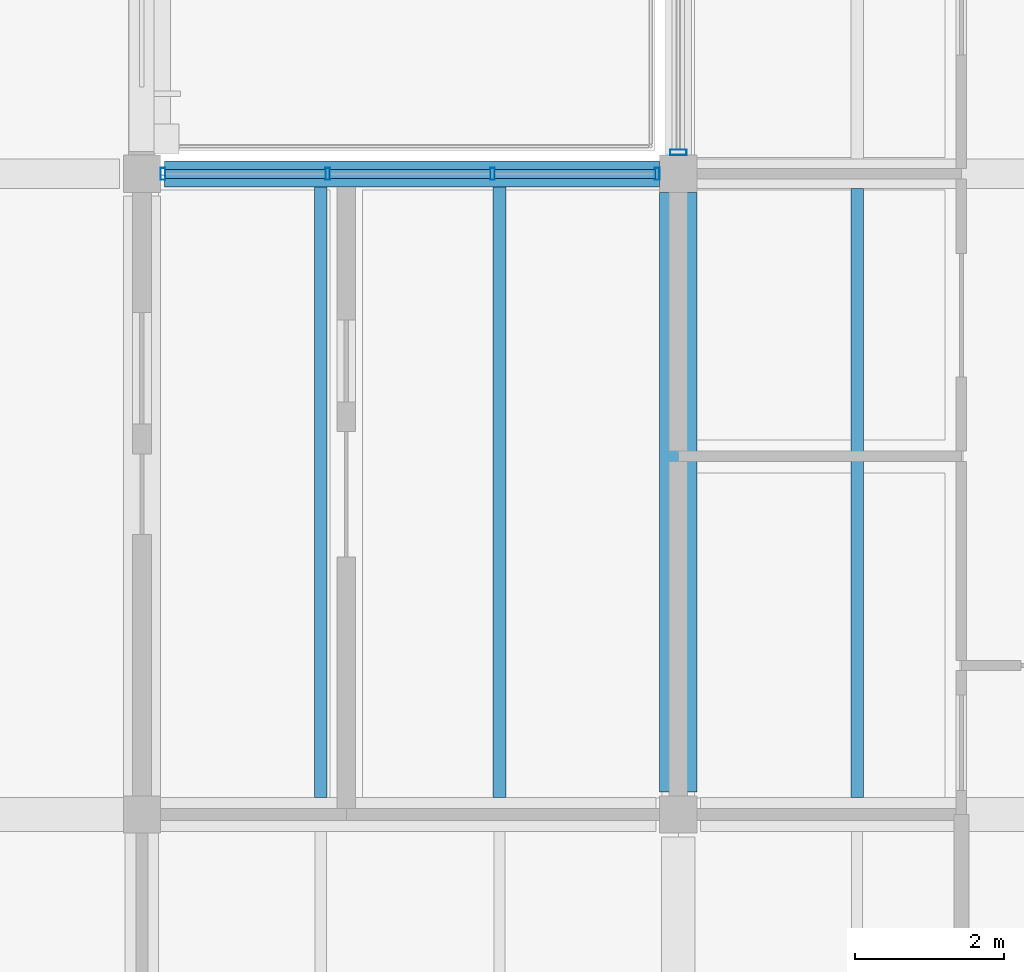
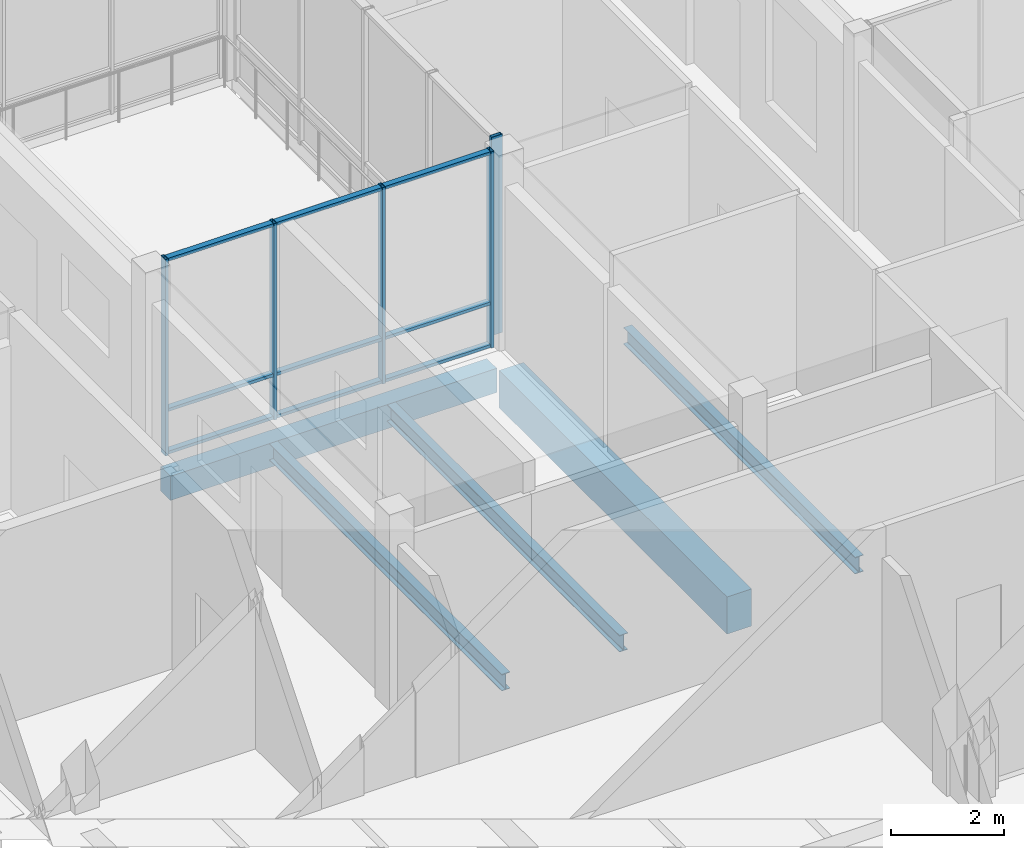
# One storey, part 82 of 146: 14 members, 5 beams, 2 elements without a shape of their own.
"""IFC4 building model written with IfcOpenShell, lengths in metres."""

from ifc_helpers import new_model, si_unit, direction, frame, origin, origin_2d, place, context, subcontext, project, spatial, rectangle, hollow_rectangle, i_section, extrude, material, material_profile, profile_set, type_object, element, aggregate, save


model = new_model("IFC4")

# Units and contexts
model_context = context("Model", 3, precision=1e-05, world=origin(), true_north=direction((0.0, 1.0)))
body_context = subcontext(model_context, "Body", "Model", "MODEL_VIEW")
ifc_project = project(units=[si_unit("LENGTHUNIT", "METRE"), si_unit("AREAUNIT", "SQUARE_METRE"), si_unit("VOLUMEUNIT", "CUBIC_METRE"), si_unit("PLANEANGLEUNIT", "RADIAN"), si_unit("MASSUNIT", "GRAM", prefix="KILO")], contexts=[model_context])

# Site, building, storey
site_placement = place(None, origin())
site = spatial("IfcSite", under=ifc_project, at=site_placement, CompositionType="ELEMENT")
building_placement = place(site_placement, origin())
building = spatial("IfcBuilding", under=site, at=building_placement, Name="Hawrajan Terrace Health Centre", CompositionType="ELEMENT")
storey_placement = place(building_placement, frame((0.0, 0.0, 4.5)))
storey = spatial("IfcBuildingStorey", under=building, at=storey_placement, Name="L01", CompositionType="ELEMENT", Elevation=4.5)

# Curtain wall, members
ifc_material_1 = material(Name="Anodized bronze aluminium and low-E solar glazing", Category="aluminium")
curtain_wall_type_1 = type_object("IfcCurtainWallType", Name="CW_CourtNS_SeriesC3", PredefinedType="USERDEFINED", material=ifc_material_1)
curtain_wall_1_placement = place(storey_placement, origin())
curtain_wall_1 = element("IfcCurtainWall", 1, at=curtain_wall_1_placement, inside=storey, type_object=curtain_wall_type_1, Name="Curtain wall CW-L01-105", ObjectType="UNITISED CURTAIN WALL", PredefinedType="USERDEFINED")
ifc_material_2 = material(Name="Anodized bronze aluminium 6063-T6", Category="aluminium")
ifc_material_profile_1 = material_profile(ifc_material_2, hollow_rectangle(XDim=0.06494140625, YDim=0.159912109375, WallThickness=0.00390625, at=origin_2d()), Name="CW MUL 65x160")
ifc_profile_set_1 = profile_set([ifc_material_profile_1], Name="Anodized bronze aluminium 6063-T6")
member_type_1 = type_object("IfcMemberType", Name="CWMullion_65x160", PredefinedType="MULLION", material=ifc_profile_set_1)
member_1_placement = place(storey_placement, frame((136.882568359375, 27.199951171875, -0.0048828125), z_axis=(0.0, 0.0, 1.0), x_axis=(1.0, 0.0, 0.0)))
member_1 = element("IfcMember", 2, at=member_1_placement, type_object=member_type_1, Name="Mullion CW-L01-105-M1", PredefinedType="MULLION", context=body_context, shape_type="SweptSolid", body=[
    extrude(hollow_rectangle(XDim=0.06494140625, YDim=0.159912109375, WallThickness=0.00390625, at=origin_2d()), origin(), (0.0, 0.0, 1.0), 4.22998046875),
])
member_2_placement = place(storey_placement, frame((139.09423828125, 27.199951171875, -0.0048828125), z_axis=(0.0, 0.0, 1.0), x_axis=(1.0, 0.0, 0.0)))
member_2 = element("IfcMember", 3, at=member_2_placement, type_object=member_type_1, Name="Mullion CW-L01-105-M2", PredefinedType="MULLION", context=body_context, shape_type="SweptSolid", body=[
    extrude(hollow_rectangle(XDim=0.06494140625, YDim=0.159912109375, WallThickness=0.00390625, at=origin_2d()), origin(), (0.0, 0.0, 1.0), 4.22998046875),
])
member_3_placement = place(storey_placement, frame((141.305908203125, 27.199951171875, -0.0048828125), z_axis=(0.0, 0.0, 1.0), x_axis=(1.0, 0.0, 0.0)))
member_3 = element("IfcMember", 4, at=member_3_placement, type_object=member_type_1, Name="Mullion CW-L01-105-M3", PredefinedType="MULLION", context=body_context, shape_type="SweptSolid", body=[
    extrude(hollow_rectangle(XDim=0.06494140625, YDim=0.159912109375, WallThickness=0.00390625, at=origin_2d()), origin(), (0.0, 0.0, 1.0), 4.22998046875),
])
member_4_placement = place(storey_placement, frame((143.517578125, 27.199951171875, -0.0048828125), z_axis=(0.0, 0.0, 1.0), x_axis=(1.0, 0.0, 0.0)))
member_4 = element("IfcMember", 5, at=member_4_placement, type_object=member_type_1, Name="Mullion CW-L01-105-M4", PredefinedType="MULLION", context=body_context, shape_type="SweptSolid", body=[
    extrude(hollow_rectangle(XDim=0.06494140625, YDim=0.159912109375, WallThickness=0.00390625, at=origin_2d()), origin(), (0.0, 0.0, 1.0), 4.22998046875),
])

# Curtain wall, member
curtain_wall_type_2 = type_object("IfcCurtainWallType", Name="CW_Hall_SeriesD2", PredefinedType="USERDEFINED", material=ifc_material_1)
curtain_wall_2_placement = place(storey_placement, origin())
curtain_wall_2 = element("IfcCurtainWall", 6, at=curtain_wall_2_placement, inside=storey, type_object=curtain_wall_type_2, Name="Curtain wall CW-L01-107", ObjectType="UNITISED CURTAIN WALL", PredefinedType="USERDEFINED")
ifc_material_profile_2 = material_profile(ifc_material_2, hollow_rectangle(XDim=0.074951171875, YDim=0.219970703125, WallThickness=0.0048828125, at=origin_2d()), Name="CW MUL 75x220")
ifc_profile_set_2 = profile_set([ifc_material_profile_2], Name="Anodized bronze aluminium 6063-T6")
member_type_2 = type_object("IfcMemberType", Name="CWMullion_75x220", PredefinedType="MULLION", material=ifc_profile_set_2)
member_5_placement = place(storey_placement, frame((143.800048828125, 27.487548828125, -0.0048828125), z_axis=(0.0, 0.0, 1.0), x_axis=(0.0, 1.0, 0.0)))
member_5 = element("IfcMember", 7, at=member_5_placement, type_object=member_type_2, Name="Mullion CW-L01-107-M1", PredefinedType="MULLION", context=body_context, shape_type="SweptSolid", body=[
    extrude(hollow_rectangle(XDim=0.074951171875, YDim=0.219970703125, WallThickness=0.0048828125, at=origin_2d()), origin(), (0.0, 0.0, 1.0), 4.269775390625),
])
aggregate(curtain_wall_2, [member_5])

# Member
ifc_material_profile_3 = material_profile(ifc_material_2, hollow_rectangle(XDim=0.06494140625, YDim=0.1201171875, WallThickness=0.00341796875, at=origin_2d()), Name="CW TRN 65x120")
ifc_profile_set_3 = profile_set([ifc_material_profile_3], Name="Anodized bronze aluminium 6063-T6")
member_type_3 = type_object("IfcMemberType", Name="CWTransom_65x120", PredefinedType="USERDEFINED", material=ifc_profile_set_3)
member_6_placement = place(storey_placement, frame((136.908935546875, 27.199951171875, 0.032470703125), z_axis=(1.0, 0.0, 0.0), x_axis=(0.0, 0.0, 1.0)))
member_6 = element("IfcMember", 8, at=member_6_placement, type_object=member_type_3, Name="Transom CW-L01-105-T1-1", ObjectType="TRANSOM", PredefinedType="USERDEFINED", context=body_context, shape_type="SweptSolid", body=[
    extrude(hollow_rectangle(XDim=0.06494140625, YDim=0.1201171875, WallThickness=0.00341796875, at=origin_2d()), origin(), (0.0, 0.0, 1.0), 2.15869140625),
])

member_7_placement = place(storey_placement, frame((136.908935546875, 27.199951171875, 0.949951171875), z_axis=(1.0, 0.0, 0.0), x_axis=(0.0, 0.0, 1.0)))
member_7 = element("IfcMember", 9, at=member_7_placement, type_object=member_type_3, Name="Transom CW-L01-105-T1-2", ObjectType="TRANSOM", PredefinedType="USERDEFINED", context=body_context, shape_type="SweptSolid", body=[
    extrude(hollow_rectangle(XDim=0.06494140625, YDim=0.1201171875, WallThickness=0.00341796875, at=origin_2d()), origin(), (0.0, 0.0, 1.0), 2.15869140625),
])

member_8_placement = place(storey_placement, frame((136.908935546875, 27.199951171875, 4.1875), z_axis=(1.0, 0.0, 0.0), x_axis=(0.0, 0.0, 1.0)))
member_8 = element("IfcMember", 10, at=member_8_placement, type_object=member_type_3, Name="Transom CW-L01-105-T1-3", ObjectType="TRANSOM", PredefinedType="USERDEFINED", context=body_context, shape_type="SweptSolid", body=[
    extrude(hollow_rectangle(XDim=0.06494140625, YDim=0.1201171875, WallThickness=0.00341796875, at=origin_2d()), origin(), (0.0, 0.0, 1.0), 2.15869140625),
])

member_9_placement = place(storey_placement, frame((139.12060546875, 27.199951171875, 0.032470703125), z_axis=(1.0, 0.0, 0.0), x_axis=(0.0, 0.0, 1.0)))
member_9 = element("IfcMember", 11, at=member_9_placement, type_object=member_type_3, Name="Transom CW-L01-105-T2-1", ObjectType="TRANSOM", PredefinedType="USERDEFINED", context=body_context, shape_type="SweptSolid", body=[
    extrude(hollow_rectangle(XDim=0.06494140625, YDim=0.1201171875, WallThickness=0.00341796875, at=origin_2d()), origin(), (0.0, 0.0, 1.0), 2.15869140625),
])

member_10_placement = place(storey_placement, frame((139.12060546875, 27.199951171875, 0.949951171875), z_axis=(1.0, 0.0, 0.0), x_axis=(0.0, 0.0, 1.0)))
member_10 = element("IfcMember", 12, at=member_10_placement, type_object=member_type_3, Name="Transom CW-L01-105-T2-2", ObjectType="TRANSOM", PredefinedType="USERDEFINED", context=body_context, shape_type="SweptSolid", body=[
    extrude(hollow_rectangle(XDim=0.06494140625, YDim=0.1201171875, WallThickness=0.00341796875, at=origin_2d()), origin(), (0.0, 0.0, 1.0), 2.15869140625),
])

member_11_placement = place(storey_placement, frame((139.12060546875, 27.199951171875, 4.1875), z_axis=(1.0, 0.0, 0.0), x_axis=(0.0, 0.0, 1.0)))
member_11 = element("IfcMember", 13, at=member_11_placement, type_object=member_type_3, Name="Transom CW-L01-105-T2-3", ObjectType="TRANSOM", PredefinedType="USERDEFINED", context=body_context, shape_type="SweptSolid", body=[
    extrude(hollow_rectangle(XDim=0.06494140625, YDim=0.1201171875, WallThickness=0.00341796875, at=origin_2d()), origin(), (0.0, 0.0, 1.0), 2.15869140625),
])

member_12_placement = place(storey_placement, frame((141.332275390625, 27.199951171875, 0.032470703125), z_axis=(1.0, 0.0, 0.0), x_axis=(0.0, 0.0, 1.0)))
member_12 = element("IfcMember", 14, at=member_12_placement, type_object=member_type_3, Name="Transom CW-L01-105-T3-1", ObjectType="TRANSOM", PredefinedType="USERDEFINED", context=body_context, shape_type="SweptSolid", body=[
    extrude(hollow_rectangle(XDim=0.06494140625, YDim=0.1201171875, WallThickness=0.00341796875, at=origin_2d()), origin(), (0.0, 0.0, 1.0), 2.15869140625),
])

member_13_placement = place(storey_placement, frame((141.332275390625, 27.199951171875, 0.949951171875), z_axis=(1.0, 0.0, 0.0), x_axis=(0.0, 0.0, 1.0)))
member_13 = element("IfcMember", 15, at=member_13_placement, type_object=member_type_3, Name="Transom CW-L01-105-T3-2", ObjectType="TRANSOM", PredefinedType="USERDEFINED", context=body_context, shape_type="SweptSolid", body=[
    extrude(hollow_rectangle(XDim=0.06494140625, YDim=0.1201171875, WallThickness=0.00341796875, at=origin_2d()), origin(), (0.0, 0.0, 1.0), 2.15869140625),
])

member_14_placement = place(storey_placement, frame((141.332275390625, 27.199951171875, 4.1875), z_axis=(1.0, 0.0, 0.0), x_axis=(0.0, 0.0, 1.0)))
member_14 = element("IfcMember", 16, at=member_14_placement, type_object=member_type_3, Name="Transom CW-L01-105-T3-3", ObjectType="TRANSOM", PredefinedType="USERDEFINED", context=body_context, shape_type="SweptSolid", body=[
    extrude(hollow_rectangle(XDim=0.06494140625, YDim=0.1201171875, WallThickness=0.00341796875, at=origin_2d()), origin(), (0.0, 0.0, 1.0), 2.15869140625),
])

aggregate(curtain_wall_1, [member_1, member_2, member_3, member_4, member_6, member_7, member_8, member_9, member_10, member_11, member_12, member_13, member_14])

# Beams
ifc_material_3 = material(Name="Concrete C40/50", Category="concrete")
ifc_material_profile_4 = material_profile(ifc_material_3, rectangle(XDim=0.5, YDim=0.800048828125, at=origin_2d()), Name="RC BM 500x800")
ifc_profile_set_4 = profile_set([ifc_material_profile_4], Name="Concrete C40/50")
beam_type_1 = type_object("IfcBeamType", Name="RCGirder_500x800", PredefinedType="BEAM", material=ifc_profile_set_4)
beam_1_placement = place(storey_placement, frame((143.800048828125, 18.89990234375, -0.800048828125), z_axis=(0.0, 1.0, 0.0), x_axis=(-1.0, 0.0, 0.0)))
element("IfcBeam", 17, at=beam_1_placement, inside=storey, type_object=beam_type_1, Name="Beam BM-Y-L01-E-X19-3", PredefinedType="BEAM", context=body_context, shape_type="SweptSolid", body=[
    extrude(rectangle(XDim=0.5, YDim=0.800048828125, at=origin_2d()), origin(), (0.0, 0.0, 1.0), 8.050048828125),
])
ifc_material_profile_5 = material_profile(ifc_material_3, rectangle(XDim=0.35009765625, YDim=0.52001953125, at=origin_2d()), Name="RC SP 350x520")
ifc_profile_set_5 = profile_set([ifc_material_profile_5], Name="Concrete C40/50")
beam_type_2 = type_object("IfcBeamType", Name="RCSpandrel_350x520", PredefinedType="SPANDREL", material=ifc_profile_set_5)
beam_2_placement = place(storey_placement, frame((136.89990234375, 27.199951171875, -0.659912109375), z_axis=(1.0, 0.0, 0.0), x_axis=(0.0, 1.0, 0.0)))
element("IfcBeam", 18, at=beam_2_placement, inside=storey, type_object=beam_type_2, Name="Beam BM-X-L01-E-18-Y4", PredefinedType="SPANDREL", context=body_context, shape_type="SweptSolid", body=[
    extrude(rectangle(XDim=0.35009765625, YDim=0.52001953125, at=origin_2d()), origin(), (0.0, 0.0, 1.0), 6.650146484375),
])
ifc_material_4 = material(Name="Steel S355", Category="steel")
ifc_material_profile_6 = material_profile(ifc_material_4, i_section(OverallWidth=0.169921875, OverallDepth=0.360107421875, WebThickness=0.008056640625, FlangeThickness=0.0126953125, FilletRadius=0.01806640625, at=origin_2d()), Name="IPE 360")
ifc_profile_set_6 = profile_set([ifc_material_profile_6], Name="Steel S355")
beam_type_3 = type_object("IfcBeamType", Name="SteelBeam_IPE360", PredefinedType="BEAM", material=ifc_profile_set_6)
for number, where, z_axis, x_axis, name in (
    (19, (139.0, 18.824951171875, -0.580078125), (0.0, 1.0, 0.0), (-1.0, 0.0, 0.0), "Secondary joist JST-L01-E-18-3-1"),
    (20, (141.39990234375, 18.824951171875, -0.580078125), (0.0, 1.0, 0.0), (-1.0, 0.0, 0.0), "Secondary joist JST-L01-E-18-3-2"),
):
    element("IfcBeam", number, at=place(storey_placement, frame(where, z_axis=z_axis, x_axis=x_axis)), inside=storey, type_object=beam_type_3, Name=name, PredefinedType="BEAM", context=body_context, shape_type="SweptSolid", body=[
        extrude(i_section(OverallWidth=0.169921875, OverallDepth=0.360107421875, WebThickness=0.008056640625, FlangeThickness=0.0126953125, FilletRadius=0.01806640625, at=origin_2d()), origin(), (0.0, 0.0, 1.0), 8.199951171875),
    ])
beam_3_placement = place(storey_placement, frame((146.199951171875, 18.824951171875, -0.580078125), z_axis=(0.0, 1.0, 0.0), x_axis=(-1.0, 0.0, 0.0)))
element("IfcBeam", 21, at=beam_3_placement, inside=storey, type_object=beam_type_3, Name="Secondary joist JST-L01-E-19-3-1", PredefinedType="BEAM", context=body_context, shape_type="SweptSolid", body=[
    extrude(i_section(OverallWidth=0.169921875, OverallDepth=0.360107421875, WebThickness=0.008056640625, FlangeThickness=0.0126953125, FilletRadius=0.01806640625, at=origin_2d()), origin(), (0.0, 0.0, 1.0), 8.175048828125),
])

save(model, "model.ifc")
